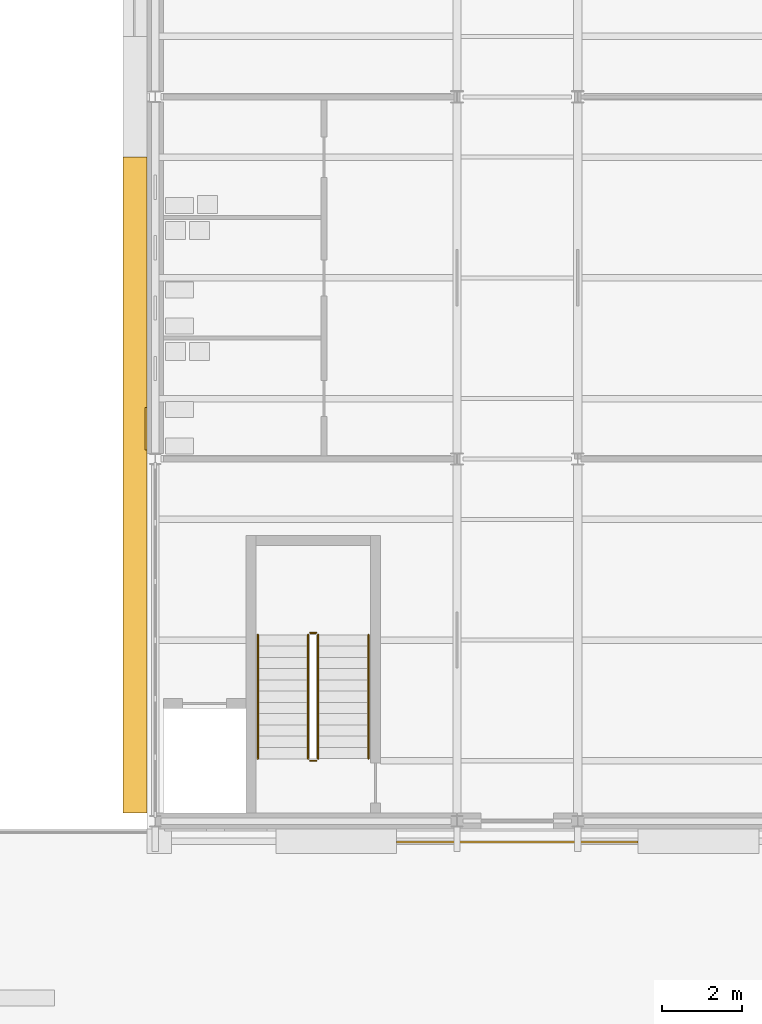
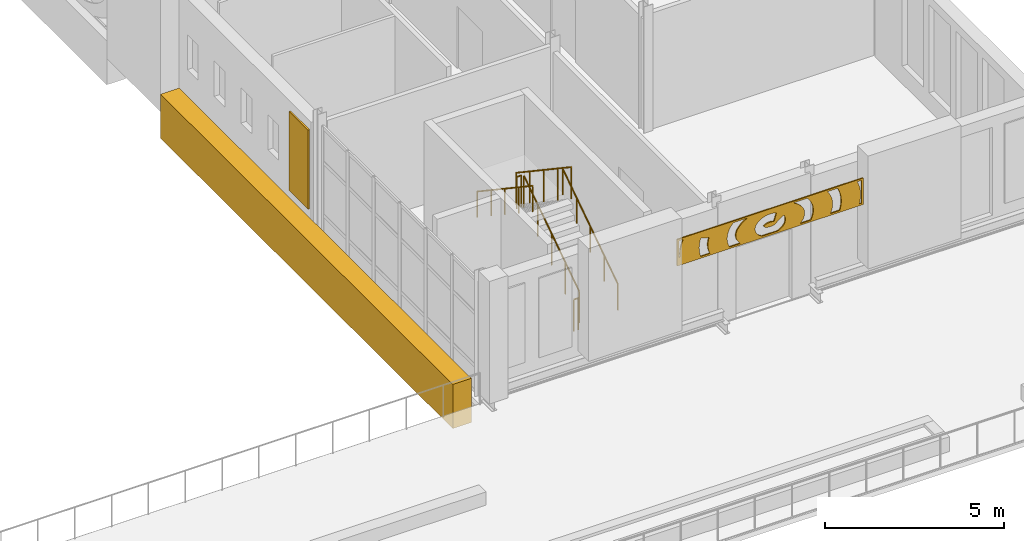
# One storey, part 109 of 134: 6 railings, 3 coverings.
"""IFC4 building model written with IfcOpenShell, lengths in metres."""

from ifc_helpers import new_model, si_unit, direction, frame, origin, origin_2d, place, context, subcontext, project, spatial, polyline, circle, outline, extrude, material, layer, layer_set, type_object, element, save


model = new_model("IFC4")

# Units and contexts
model_context = context("Model", 3, precision=1e-05, world=origin(), true_north=direction((0.0, 1.0)))
body_context = subcontext(model_context, "Body", "Model", "MODEL_VIEW")
ifc_project = project(units=[si_unit("LENGTHUNIT", "METRE"), si_unit("AREAUNIT", "SQUARE_METRE"), si_unit("VOLUMEUNIT", "CUBIC_METRE"), si_unit("PLANEANGLEUNIT", "RADIAN"), si_unit("MASSUNIT", "GRAM", prefix="KILO")], contexts=[model_context])

# Site, building, storey
site_placement = place(None, origin())
site = spatial("IfcSite", under=ifc_project, at=site_placement, CompositionType="ELEMENT")
building_placement = place(site_placement, origin())
building = spatial("IfcBuilding", under=site, at=building_placement, Name="Golden Quay Civic Hall", CompositionType="ELEMENT")
storey_placement = place(building_placement, frame((0.0, 0.0, 5.39990234375)))
storey = spatial("IfcBuildingStorey", under=building, at=storey_placement, Name="L01", CompositionType="ELEMENT", Elevation=5.39990234375)

# Covering
ifc_material_1 = material(Name="Aluminium, golden anodised, perforated", Category="aluminium")
ifc_layer_1 = layer(ifc_material_1, 0.0400390625)
ifc_layer_set_1 = layer_set([ifc_layer_1], Name="Perforated screen panel 6000 x 900 x 40")
covering_type_1 = type_object("IfcCoveringType", Name="Perforated screen panel 6000 x 900 x 40", PredefinedType="CLADDING", material=ifc_layer_set_1)
covering_1_placement = place(storey_placement, frame((63.0, -0.5, 3.150146484375), z_axis=(0.0, -1.0, 0.0), x_axis=(1.0, 0.0, 0.0)))
element("IfcCovering", 1, at=covering_1_placement, inside=storey, type_object=covering_type_1, Name="Perforated screen panel 6000 x 900 x 40 L01 1", PredefinedType="CLADDING", context=body_context, shape_type="SweptSolid", body=[
    extrude(outline(polyline([(-3.0, -0.449951171875), (3.0, -0.449951171875), (3.0, 0.449951171875), (-3.0, 0.449951171875), (-3.0, -0.449951171875)]), holes=[polyline([(-0.20947265625, -0.081298828125), (-0.189697265625, -0.103759765625), (-0.1650390625, -0.1201171875), (-0.131103515625, -0.135498046875), (-0.089599609375, -0.147705078125), (-0.043212890625, -0.1552734375), (0.006103515625, -0.157470703125), (0.0546875, -0.154052734375), (0.100341796875, -0.14501953125), (0.14013671875, -0.1318359375), (0.184326171875, -0.10791015625), (0.201171875, -0.093017578125), (0.2099609375, -0.080322265625), (0.201904296875, -0.06591796875), (0.437744140625, 0.08251953125), (0.458251953125, 0.047607421875), (0.47412109375, 0.010009765625), (0.484619140625, -0.02978515625), (0.489013671875, -0.071044921875), (0.4873046875, -0.1123046875), (0.473388671875, -0.172119140625), (0.457275390625, -0.209716796875), (0.4267578125, -0.2578125), (0.401611328125, -0.287109375), (0.353759765625, -0.329345703125), (0.311279296875, -0.357666015625), (0.24560546875, -0.389892578125), (-0.2451171875, -0.389892578125), (-0.294921875, -0.36669921875), (-0.338134765625, -0.340576171875), (-0.388427734375, -0.300048828125), (-0.425048828125, -0.260009765625), (-0.458251953125, -0.207763671875), (-0.479736328125, -0.15185546875), (-0.489013671875, -0.091064453125), (-0.487548828125, -0.0498046875), (-0.47412109375, 0.010009765625), (-0.4482421875, 0.06591796875), (-0.41552734375, 0.111572265625), (-0.370361328125, 0.15625), (-0.3291015625, 0.186767578125), (-0.2705078125, 0.21923828125), (-0.224609375, 0.238037109375), (-0.1484375, 0.26025390625), (-0.076904296875, 0.272216796875), (0.0048828125, 0.2763671875), (0.094482421875, 0.27001953125), (0.165283203125, 0.25634765625), (0.20361328125, 0.245361328125), (0.125, -0.022216796875), (0.077392578125, -0.009765625), (0.02978515625, -0.00341796875), (-0.019287109375, -0.0029296875), (-0.0673828125, -0.0078125), (-0.11181640625, -0.01806640625), (-0.16552734375, -0.0400390625), (-0.1982421875, -0.063720703125), (-0.20947265625, -0.081298828125)]), polyline([(-0.73779296875, 0.389892578125), (-0.833740234375, 0.33447265625), (-0.8876953125, 0.2958984375), (-0.936279296875, 0.255859375), (-0.978515625, 0.21435546875), (-1.014892578125, 0.172119140625), (-1.045166015625, 0.129150390625), (-1.069580078125, 0.086181640625), (-1.087890625, 0.043701171875), (-1.1005859375, 0.001220703125), (-1.108154296875, -0.040771484375), (-1.1103515625, -0.08251953125), (-1.107421875, -0.12451171875), (-1.099365234375, -0.16650390625), (-1.0859375, -0.208984375), (-1.06689453125, -0.251708984375), (-1.041748046875, -0.29443359375), (-1.0107421875, -0.33740234375), (-0.962890625, -0.389892578125), (-1.308837890625, -0.389892578125), (-1.343505859375, -0.3154296875), (-1.36767578125, -0.2431640625), (-1.385009765625, -0.152099609375), (-1.38916015625, -0.076171875), (-1.384033203125, -0.00048828125), (-1.369873046875, 0.073974609375), (-1.3525390625, 0.1318359375), (-1.322509765625, 0.20361328125), (-1.277099609375, 0.2841796875), (-1.239013671875, 0.338134765625), (-1.1953125, 0.389892578125), (-0.73779296875, 0.389892578125)]), polyline([(0.9638671875, -0.3896484375), (1.00244140625, -0.34765625), (1.034912109375, -0.304931640625), (1.061279296875, -0.261962890625), (1.081787109375, -0.21923828125), (1.0966796875, -0.1767578125), (1.10595703125, -0.134521484375), (1.110107421875, -0.0927734375), (1.109130859375, -0.05078125), (1.102783203125, -0.009033203125), (1.091552734375, 0.033203125), (1.074462890625, 0.075927734375), (1.051513671875, 0.118896484375), (1.02294921875, 0.16162109375), (0.988037109375, 0.2041015625), (0.947021484375, 0.245849609375), (0.900146484375, 0.286376953125), (0.847412109375, 0.325439453125), (0.7890625, 0.3623046875), (0.73828125, 0.389892578125), (1.19580078125, 0.389892578125), (1.25048828125, 0.322509765625), (1.29443359375, 0.256103515625), (1.32421875, 0.2001953125), (1.353515625, 0.129150390625), (1.374267578125, 0.055908203125), (1.38623046875, -0.018798828125), (1.388916015625, -0.094482421875), (1.382568359375, -0.17041015625), (1.362548828125, -0.2607421875), (1.33642578125, -0.332763671875), (1.30908203125, -0.389892578125), (0.9638671875, -0.3896484375)]), polyline([(-2.00439453125, 0.010498046875), (-2.010009765625, -0.060302734375), (-2.008544921875, -0.131103515625), (-1.99951171875, -0.201904296875), (-1.9833984375, -0.2724609375), (-1.959716796875, -0.343017578125), (-1.938720703125, -0.389892578125), (-2.23779296875, -0.389892578125), (-2.25341796875, -0.341796875), (-2.275390625, -0.24365234375), (-2.285888671875, -0.15869140625), (-2.2890625, -0.059326171875), (-2.27978515625, 0.053955078125), (-2.26123046875, 0.152099609375), (-2.23681640625, 0.23583984375), (-1.968994140625, 0.158447265625), (-1.991455078125, 0.081298828125), (-2.00439453125, 0.010498046875)]), polyline([(1.96630859375, -0.325439453125), (1.988037109375, -0.2548828125), (2.00244140625, -0.18408203125), (2.009521484375, -0.11328125), (2.009521484375, -0.04248046875), (2.001953125, 0.028076171875), (1.987060546875, 0.098876953125), (1.964599609375, 0.16943359375), (1.934814453125, 0.23974609375), (1.8974609375, 0.309814453125), (1.843505859375, 0.389892578125), (2.170654296875, 0.389892578125), (2.189208984375, 0.3544921875), (2.228515625, 0.259765625), (2.258544921875, 0.162841796875), (2.2783203125, 0.064697265625), (2.2880859375, -0.03466796875), (2.28759765625, -0.134033203125), (2.277099609375, -0.23291015625), (2.25634765625, -0.330810546875), (2.238037109375, -0.389892578125), (1.939208984375, -0.389892578125), (1.96630859375, -0.325439453125)]), polyline([(2.872802734375, -0.35791015625), (2.8935546875, -0.266357421875), (2.906005859375, -0.174560546875), (2.910400390625, -0.0830078125), (2.906494140625, 0.0087890625), (2.89453125, 0.1005859375), (2.87451171875, 0.192138671875), (2.845947265625, 0.283203125), (2.80126953125, 0.389892578125), (2.93994140625, 0.389892578125), (2.93994140625, -0.389892578125), (2.86279296875, -0.389892578125), (2.872802734375, -0.35791015625)]), polyline([(-2.801513671875, 0.389892578125), (-2.843505859375, 0.29052734375), (-2.87255859375, 0.199462890625), (-2.893310546875, 0.10791015625), (-2.906005859375, 0.016357421875), (-2.910400390625, -0.075439453125), (-2.906494140625, -0.17333984375), (-2.93994140625, -0.1748046875), (-2.93994140625, 0.389892578125), (-2.801513671875, 0.389892578125)])]), origin(), (0.0, 0.0, 1.0), 0.0400390625),
])

# Railings
ifc_material_2 = material(Name="Steel S355", Category="steel")
railing_type_1 = type_object("IfcRailingType", Name="Steel guard 1100", PredefinedType="GUARDRAIL", material=ifc_material_2)
railing_1_placement = place(storey_placement, frame((58.050048828125, 1.550048828125, 0.1875)))
element("IfcRailing", 2, at=railing_1_placement, inside=storey, type_object=railing_type_1, Name="L01 WM-S stair guard 1", PredefinedType="GUARDRAIL", context=body_context, shape_type="SweptSolid", body=[
    extrude(circle(Radius=0.02392578125, at=origin_2d()), frame((0.0, 0.0, 1.076171875), z_axis=(0.0, 0.830893310487, 0.556431762742), x_axis=(-1.0, 0.0, 0.0)), (0.0, 0.0, 1.0), 3.70654296875),
    extrude(circle(Radius=0.02099609375, at=origin_2d()), origin(), (0.0, 0.0, 1.0), 1.052001953125),
    extrude(circle(Radius=0.02099609375, at=origin_2d()), frame((0.0, 0.77001953125, 0.515625)), (0.0, 0.0, 1.0), 1.052001953125),
    extrude(circle(Radius=0.02099609375, at=origin_2d()), frame((0.0, 1.5400390625, 1.03125)), (0.0, 0.0, 1.0), 1.052001953125),
    extrude(circle(Radius=0.02099609375, at=origin_2d()), frame((0.0, 2.309814453125, 1.546875)), (0.0, 0.0, 1.0), 1.052001953125),
    extrude(circle(Radius=0.02099609375, at=origin_2d()), frame((0.0, 3.079833984375, 2.0625)), (0.0, 0.0, 1.0), 1.052001953125),
])
railing_2_placement = place(storey_placement, frame((58.0, 4.679931640625, 2.25)))
element("IfcRailing", 3, at=railing_2_placement, inside=storey, type_object=railing_type_1, Name="L01 WM-S stair guard 2", PredefinedType="GUARDRAIL", context=body_context, shape_type="SweptSolid", body=[
    extrude(circle(Radius=0.02392578125, at=origin_2d()), frame((0.0, 0.0, 1.076171875), z_axis=(-1.0, 0.0, 0.0), x_axis=(0.0, -1.0, 0.0)), (0.0, 0.0, 1.0), 0.14990234375),
    extrude(circle(Radius=0.02099609375, at=origin_2d()), origin(), (0.0, 0.0, 1.0), 1.052001953125),
    extrude(circle(Radius=0.02099609375, at=origin_2d()), frame((-0.14990234375, 0.0, 0.0)), (0.0, 0.0, 1.0), 1.052001953125),
])
railing_3_placement = place(storey_placement, frame((57.800048828125, 4.6298828125, 2.4375)))
element("IfcRailing", 4, at=railing_3_placement, inside=storey, type_object=railing_type_1, Name="L01 WM-S stair guard 3", PredefinedType="GUARDRAIL", context=body_context, shape_type="SweptSolid", body=[
    extrude(circle(Radius=0.02392578125, at=origin_2d()), frame((0.0, 0.0, 1.076171875), z_axis=(0.0, -0.830893310487, 0.556431762742), x_axis=(1.0, 0.0, 0.0)), (0.0, 0.0, 1.0), 3.70654296875),
    extrude(circle(Radius=0.02099609375, at=origin_2d()), origin(), (0.0, 0.0, 1.0), 1.052001953125),
    extrude(circle(Radius=0.02099609375, at=origin_2d()), frame((0.0, -0.77001953125, 0.515625)), (0.0, 0.0, 1.0), 1.052001953125),
    extrude(circle(Radius=0.02099609375, at=origin_2d()), frame((0.0, -1.5400390625, 1.03125)), (0.0, 0.0, 1.0), 1.052001953125),
    extrude(circle(Radius=0.02099609375, at=origin_2d()), frame((0.0, -2.309814453125, 1.546875)), (0.0, 0.0, 1.0), 1.052001953125),
    extrude(circle(Radius=0.02099609375, at=origin_2d()), frame((0.0, -3.079833984375, 2.0625)), (0.0, 0.0, 1.0), 1.052001953125),
])
railing_4_placement = place(storey_placement, frame((58.0, 1.5, 0.0)))
element("IfcRailing", 5, at=railing_4_placement, inside=storey, type_object=railing_type_1, Name="L01 WM-S stair guard 4", PredefinedType="GUARDRAIL", context=body_context, shape_type="SweptSolid", body=[
    extrude(circle(Radius=0.02392578125, at=origin_2d()), frame((0.0, 0.0, 1.076171875), z_axis=(-1.0, 0.0, 0.0), x_axis=(0.0, -1.0, 0.0)), (0.0, 0.0, 1.0), 0.14990234375),
    extrude(circle(Radius=0.02099609375, at=origin_2d()), origin(), (0.0, 0.0, 1.0), 1.052001953125),
    extrude(circle(Radius=0.02099609375, at=origin_2d()), frame((-0.14990234375, 0.0, 0.0)), (0.0, 0.0, 1.0), 1.052001953125),
])
ifc_material_3 = material(Name="Steel S355", Category="steel")
railing_type_2 = type_object("IfcRailingType", Name="Steel handrail 900", PredefinedType="HANDRAIL", material=ifc_material_3)
railing_5_placement = place(storey_placement, frame((59.300048828125, 1.550048828125, 0.1875)))
element("IfcRailing", 6, at=railing_5_placement, inside=storey, type_object=railing_type_2, Name="L01 WM-S stair handrail 1", PredefinedType="HANDRAIL", context=body_context, shape_type="SweptSolid", body=[
    extrude(circle(Radius=0.02392578125, at=origin_2d()), frame((0.0, 0.0, 0.8759765625), z_axis=(0.0, 0.830893310487, 0.556431762742), x_axis=(-1.0, 0.0, 0.0)), (0.0, 0.0, 1.0), 3.70654296875),
    extrude(circle(Radius=0.02099609375, at=origin_2d()), origin(), (0.0, 0.0, 1.0), 0.851806640625),
    extrude(circle(Radius=0.02099609375, at=origin_2d()), frame((0.0, 0.77001953125, 0.515625)), (0.0, 0.0, 1.0), 0.851806640625),
    extrude(circle(Radius=0.02099609375, at=origin_2d()), frame((0.0, 1.5400390625, 1.03125)), (0.0, 0.0, 1.0), 0.851806640625),
    extrude(circle(Radius=0.02099609375, at=origin_2d()), frame((0.0, 2.309814453125, 1.546875)), (0.0, 0.0, 1.0), 0.851806640625),
    extrude(circle(Radius=0.02099609375, at=origin_2d()), frame((0.0, 3.079833984375, 2.0625)), (0.0, 0.0, 1.0), 0.851806640625),
])
railing_6_placement = place(storey_placement, frame((56.550048828125, 4.6298828125, 2.4375)))
element("IfcRailing", 7, at=railing_6_placement, inside=storey, type_object=railing_type_2, Name="L01 WM-S stair handrail 2", PredefinedType="HANDRAIL", context=body_context, shape_type="SweptSolid", body=[
    extrude(circle(Radius=0.02392578125, at=origin_2d()), frame((0.0, 0.0, 0.8759765625), z_axis=(0.0, -0.830893310487, 0.556431762742), x_axis=(1.0, 0.0, 0.0)), (0.0, 0.0, 1.0), 3.70654296875),
    extrude(circle(Radius=0.02099609375, at=origin_2d()), origin(), (0.0, 0.0, 1.0), 0.851806640625),
    extrude(circle(Radius=0.02099609375, at=origin_2d()), frame((0.0, -0.77001953125, 0.515625)), (0.0, 0.0, 1.0), 0.851806640625),
    extrude(circle(Radius=0.02099609375, at=origin_2d()), frame((0.0, -1.5400390625, 1.03125)), (0.0, 0.0, 1.0), 0.851806640625),
    extrude(circle(Radius=0.02099609375, at=origin_2d()), frame((0.0, -2.309814453125, 1.546875)), (0.0, 0.0, 1.0), 0.851806640625),
    extrude(circle(Radius=0.02099609375, at=origin_2d()), frame((0.0, -3.079833984375, 2.0625)), (0.0, 0.0, 1.0), 0.851806640625),
])

# Coverings
ifc_material_4 = material(Name="Terracotta cladding, golden glaze", Category="masonry")
ifc_layer_2 = layer(ifc_material_4, 0.050048828125)
ifc_layer_set_2 = layer_set([ifc_layer_2], Name="Terracotta solid panel 1050 x 2700 x 50")
covering_type_2 = type_object("IfcCoveringType", Name="Terracotta solid panel 1050 x 2700 x 50", PredefinedType="CLADDING", material=ifc_layer_set_2)
covering_2_placement = place(storey_placement, frame((0.0, 0.0, 0.900146484375)))
element("IfcCovering", 8, at=covering_2_placement, inside=storey, type_object=covering_type_2, Name="Terracotta solid panel 1050 x 2700 x 50 L01 17", PredefinedType="CLADDING", context=body_context, shape_type="SweptSolid", body=[
    extrude(outline(polyline([(53.800048828125, 9.22509765625), (53.800048828125, 10.27490234375), (53.75, 10.27490234375), (53.75, 9.22509765625), (53.800048828125, 9.22509765625)])), origin(), (0.0, 0.0, 1.0), 2.699951171875),
])
ifc_material_5 = material(Name="Terracotta cladding, golden glaze", Category="masonry")
covering_type_3 = type_object("IfcCoveringType", Name="Terracotta spandrel fascia 600 x 1500", PredefinedType="CLADDING", material=ifc_material_5)
covering_3_placement = place(storey_placement, frame((0.0, 0.0, -0.89990234375)))
element("IfcCovering", 9, at=covering_3_placement, inside=storey, type_object=covering_type_3, Name="Terracotta spandrel fascia 600 x 1500 L01 11", PredefinedType="CLADDING", context=body_context, shape_type="SweptSolid", body=[
    extrude(outline(polyline([(53.800048828125, 16.5), (53.800048828125, 0.199951171875), (53.199951171875, 0.199951171875), (53.199951171875, 16.5), (53.800048828125, 16.5)])), origin(), (0.0, 0.0, 1.0), 1.5),
])

save(model, "model.ifc")
